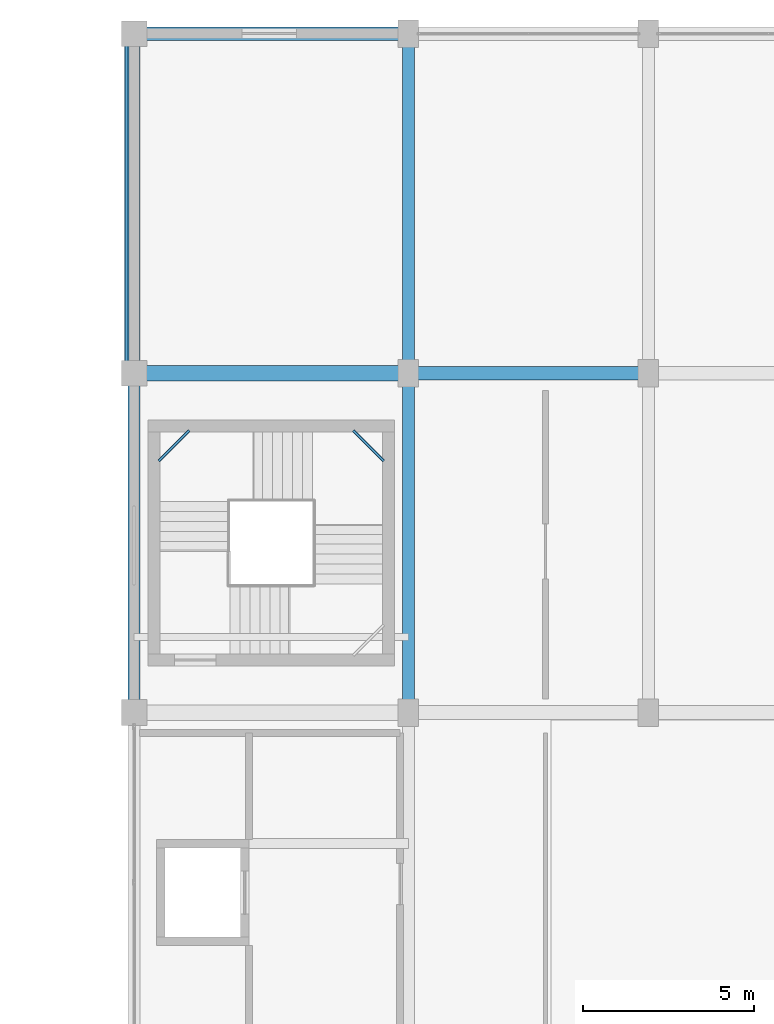
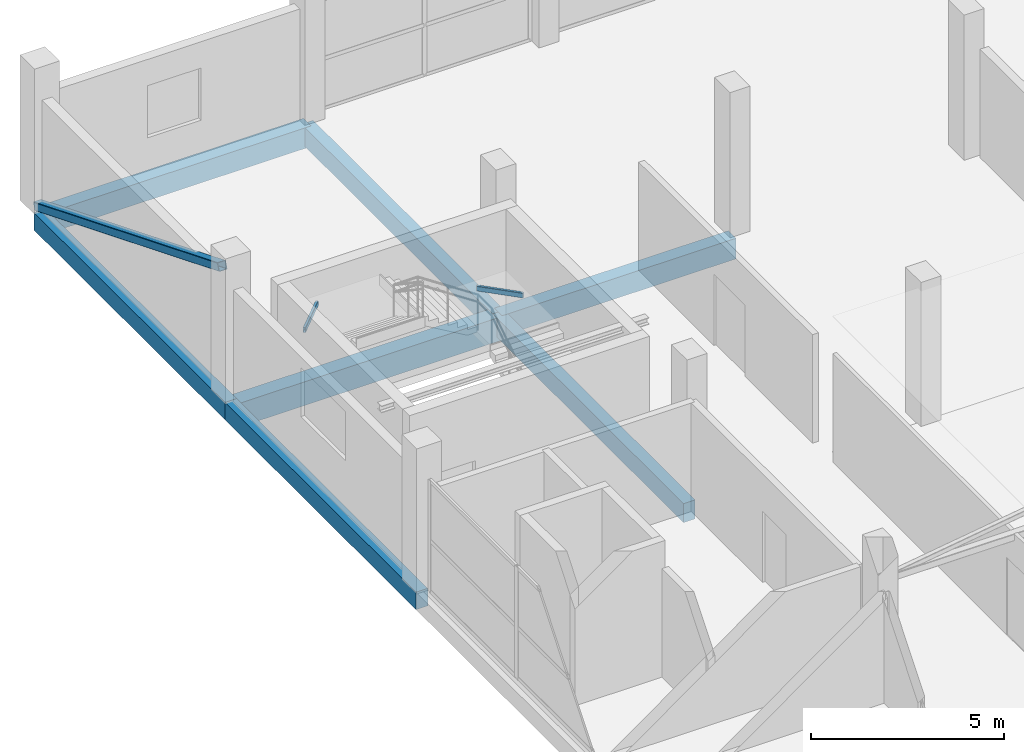
# One storey, part 30 of 55: 9 beams, 1 member.
"""IFC4 building model written with IfcOpenShell, lengths in metres."""

from ifc_helpers import new_model, si_unit, direction, frame, origin, origin_2d, place, context, subcontext, project, spatial, rectangle, hollow_rectangle, extrude, material, material_profile, profile_set, type_object, element, save


model = new_model("IFC4")

# Units and contexts
model_context = context("Model", 3, precision=1e-05, world=origin(), true_north=direction((0.0, 1.0)))
body_context = subcontext(model_context, "Body", "Model", "MODEL_VIEW")
ifc_project = project(units=[si_unit("LENGTHUNIT", "METRE"), si_unit("AREAUNIT", "SQUARE_METRE"), si_unit("VOLUMEUNIT", "CUBIC_METRE"), si_unit("PLANEANGLEUNIT", "RADIAN"), si_unit("MASSUNIT", "GRAM", prefix="KILO")], contexts=[model_context])

# Site, building, storey
site_placement = place(None, origin())
site = spatial("IfcSite", under=ifc_project, at=site_placement, CompositionType="ELEMENT")
building_placement = place(site_placement, origin())
building = spatial("IfcBuilding", under=site, at=building_placement, Name="Sillaruma Civic Art Gallery", CompositionType="ELEMENT")
storey_placement = place(building_placement, frame((0.0, 0.0, 37.739990234375)))
storey = spatial("IfcBuildingStorey", under=building, at=storey_placement, Name="L07", CompositionType="ELEMENT", Elevation=37.739990234375)

# Beams
ifc_material_1 = material(Name="Concrete H35 (35 MPa)", Category="concrete")
ifc_material_profile_1 = material_profile(ifc_material_1, rectangle(XDim=0.35009765625, YDim=0.60009765625, at=origin_2d()), Name="RCB350x600")
ifc_profile_set_1 = profile_set([ifc_material_profile_1], Name="Concrete H35 (35 MPa)")
beam_type_1 = type_object("IfcBeamType", Name="BM-BEAM-RCB350x600", PredefinedType="BEAM", material=ifc_profile_set_1)
beam_1_placement = place(storey_placement, frame((70.0, 79.199951171875, -0.5400390625), z_axis=(0.0, 1.0, 0.0), x_axis=(-1.0, 0.0, 0.0)))
element("IfcBeam", 1, at=beam_1_placement, inside=storey, type_object=beam_type_1, Name="Beam BM-06 (L06:G:9-10)", PredefinedType="BEAM", context=body_context, shape_type="SweptSolid", body=[
    extrude(rectangle(XDim=0.35009765625, YDim=0.60009765625, at=origin_2d()), origin(), (0.0, 0.0, 1.0), 9.900146484375),
])
beam_2_placement = place(storey_placement, frame((70.0, 89.10009765625, -0.5400390625), z_axis=(0.0, 1.0, 0.0), x_axis=(-1.0, 0.0, 0.0)))
element("IfcBeam", 2, at=beam_2_placement, inside=storey, type_object=beam_type_1, Name="Beam BM-06 (L06:G:10-11)", PredefinedType="BEAM", context=body_context, shape_type="SweptSolid", body=[
    extrude(rectangle(XDim=0.35009765625, YDim=0.60009765625, at=origin_2d()), origin(), (0.0, 0.0, 1.0), 9.89990234375),
])
ifc_material_profile_2 = material_profile(ifc_material_1, rectangle(XDim=0.39990234375, YDim=0.64990234375, at=origin_2d()), Name="RCB400x650")
ifc_profile_set_2 = profile_set([ifc_material_profile_2], Name="Concrete H35 (35 MPa)")
beam_type_2 = type_object("IfcBeamType", Name="BM-BEAM-RCB400x650", PredefinedType="BEAM", material=ifc_profile_set_2)
beam_3_placement = place(storey_placement, frame((70.0, 89.10009765625, -0.56494140625), z_axis=(1.0, 0.0, 0.0), x_axis=(0.0, 1.0, 0.0)))
element("IfcBeam", 3, at=beam_3_placement, inside=storey, type_object=beam_type_2, Name="Beam BM-05 (L06:10:G-H)", PredefinedType="BEAM", context=body_context, shape_type="SweptSolid", body=[
    extrude(rectangle(XDim=0.39990234375, YDim=0.64990234375, at=origin_2d()), origin(), (0.0, 0.0, 1.0), 7.0),
])
ifc_material_2 = material(Name="Concrete H40 (40 MPa)", Category="concrete")
ifc_material_profile_3 = material_profile(ifc_material_2, rectangle(XDim=0.449951171875, YDim=0.75, at=origin_2d()), Name="RCB450x750")
ifc_profile_set_3 = profile_set([ifc_material_profile_3], Name="Concrete H40 (40 MPa)")
beam_type_3 = type_object("IfcBeamType", Name="BM-BEAM-RCB450x750", PredefinedType="BEAM", material=ifc_profile_set_3)
beam_4_placement = place(storey_placement, frame((62.0, 89.10009765625, -0.614990234375), z_axis=(1.0, 0.0, 0.0), x_axis=(0.0, 1.0, 0.0)))
element("IfcBeam", 4, at=beam_4_placement, inside=storey, type_object=beam_type_3, Name="Beam BM-03 (L06:10:F-G)", PredefinedType="BEAM", context=body_context, shape_type="SweptSolid", body=[
    extrude(rectangle(XDim=0.449951171875, YDim=0.75, at=origin_2d()), origin(), (0.0, 0.0, 1.0), 8.0),
])
ifc_material_3 = material(Name="Structural Steel ASTM A500 Gr.C", Category="steel")
ifc_material_profile_4 = material_profile(ifc_material_3, hollow_rectangle(XDim=0.080078125, YDim=0.159912109375, WallThickness=0.008056640625, InnerFilletRadius=0.008056640625, OuterFilletRadius=0.01611328125, at=origin_2d()), Name="HSS160x80x8")
ifc_profile_set_4 = profile_set([ifc_material_profile_4], Name="Structural Steel ASTM A500 Gr.C")
beam_type_4 = type_object("IfcBeamType", Name="BM-LND-HSS160", PredefinedType="BEAM", material=ifc_profile_set_4)
for number, where, z_axis, x_axis, name in (
    (5, (68.389892578125, 87.429931640625, 2.10009765625), (0.707203758046, -0.707009791025, 0.0), (0.707009791025, 0.707203758046, 0.0), "Stair Corner Landing Trimmer Beam (ST-02-L07-2)"),
    (6, (62.719970703125, 86.5400390625, 3.2900390625), (0.707203758046, 0.707009791025, 0.0), (-0.707009791025, 0.707203758046, 0.0), "Stair Corner Landing Trimmer Beam (ST-02-L07-3)"),
):
    element("IfcBeam", number, at=place(storey_placement, frame(where, z_axis=z_axis, x_axis=x_axis)), inside=storey, type_object=beam_type_4, Name=name, PredefinedType="BEAM", context=body_context, shape_type="SweptSolid", body=[
        extrude(hollow_rectangle(XDim=0.080078125, YDim=0.159912109375, WallThickness=0.008056640625, InnerFilletRadius=0.008056640625, OuterFilletRadius=0.01611328125, at=origin_2d()), origin(), (0.0, 0.0, 1.0), 1.2587890625),
    ])
ifc_material_profile_5 = material_profile(ifc_material_1, rectangle(XDim=0.35009765625, YDim=0.550048828125, at=origin_2d()), Name="RCB350x550")
ifc_profile_set_5 = profile_set([ifc_material_profile_5], Name="Concrete H35 (35 MPa)")
beam_type_5 = type_object("IfcBeamType", Name="BM-SPANDREL-RCB350x550", PredefinedType="SPANDREL", material=ifc_profile_set_5)
beam_5_placement = place(storey_placement, frame((62.0, 79.199951171875, -0.514892578125), z_axis=(0.0, 1.0, 0.0), x_axis=(-1.0, 0.0, 0.0)))
element("IfcBeam", 7, at=beam_5_placement, inside=storey, type_object=beam_type_5, Name="Beam BS-04 (L06:F:9-10)", PredefinedType="SPANDREL", context=body_context, shape_type="SweptSolid", body=[
    extrude(rectangle(XDim=0.35009765625, YDim=0.550048828125, at=origin_2d()), origin(), (0.0, 0.0, 1.0), 9.900146484375),
])
beam_6_placement = place(storey_placement, frame((62.0, 89.10009765625, -0.514892578125), z_axis=(0.0, 1.0, 0.0), x_axis=(-1.0, 0.0, 0.0)))
element("IfcBeam", 8, at=beam_6_placement, inside=storey, type_object=beam_type_5, Name="Beam BS-04 (L06:F:10-11)", PredefinedType="SPANDREL", context=body_context, shape_type="SweptSolid", body=[
    extrude(rectangle(XDim=0.35009765625, YDim=0.550048828125, at=origin_2d()), origin(), (0.0, 0.0, 1.0), 9.89990234375),
])
ifc_material_profile_6 = material_profile(ifc_material_1, rectangle(XDim=0.39990234375, YDim=0.64990234375, at=origin_2d()), Name="RCB400x650")
ifc_profile_set_6 = profile_set([ifc_material_profile_6], Name="Concrete H35 (35 MPa)")
beam_type_6 = type_object("IfcBeamType", Name="BM-SPANDREL-RCB400x650", PredefinedType="SPANDREL", material=ifc_profile_set_6)
beam_7_placement = place(storey_placement, frame((62.0, 99.0, -0.56494140625), z_axis=(1.0, 0.0, 0.0), x_axis=(0.0, 1.0, 0.0)))
element("IfcBeam", 9, at=beam_7_placement, inside=storey, type_object=beam_type_6, Name="Beam BS-02 (L06:11:F-G)", PredefinedType="SPANDREL", context=body_context, shape_type="SweptSolid", body=[
    extrude(rectangle(XDim=0.39990234375, YDim=0.64990234375, at=origin_2d()), origin(), (0.0, 0.0, 1.0), 8.0),
])

# Member
ifc_material_profile_7 = material_profile(ifc_material_3, hollow_rectangle(XDim=0.25, YDim=0.25, WallThickness=0.012451171875, InnerFilletRadius=0.012451171875, OuterFilletRadius=0.02490234375, at=origin_2d()), Name="HSS250x250x12.5")
ifc_profile_set_7 = profile_set([ifc_material_profile_7], Name="Structural Steel ASTM A500 Gr.C")
member_type = type_object("IfcMemberType", Name="MEM-MEGA-BRACE", PredefinedType="BRACE", material=ifc_profile_set_7)
member_placement = place(storey_placement, frame((61.85009765625, 98.820068359375, 0.10009765625), z_axis=(0.0, -0.927000235478, 0.375060746312), x_axis=(1.0, 0.0, 0.0)))
element("IfcMember", 10, at=member_placement, inside=storey, type_object=member_type, Name="Exterior Expressed Gallery Seismic Diagonal Brace (L07-WN)", PredefinedType="BRACE", context=body_context, shape_type="SweptSolid", body=[
    extrude(hollow_rectangle(XDim=0.25, YDim=0.25, WallThickness=0.012451171875, InnerFilletRadius=0.012451171875, OuterFilletRadius=0.02490234375, at=origin_2d()), origin(), (0.0, 0.0, 1.0), 10.291259765625),
])

save(model, "model.ifc")
